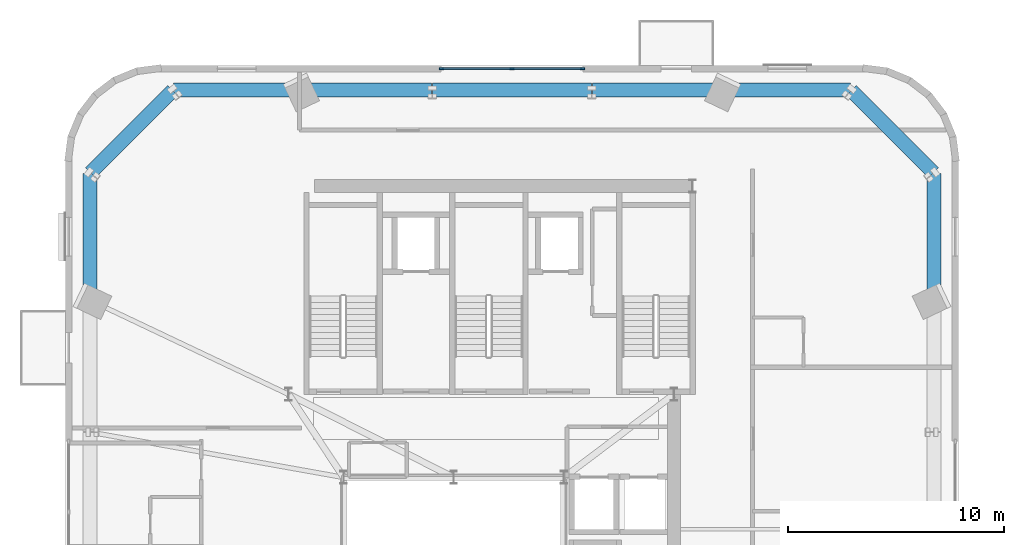
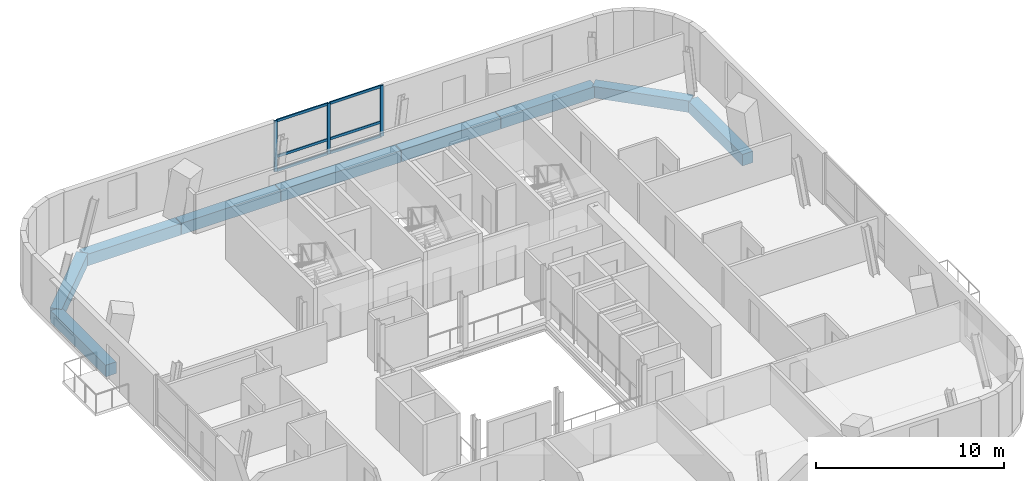
# One storey, part 4 of 13: 9 beams, 9 members, 1 element without a shape of its own.
"""IFC4 building model written with IfcOpenShell, lengths in metres."""

from ifc_helpers import new_model, si_unit, direction, frame, origin, origin_2d, place, context, subcontext, project, spatial, rectangle, extrude, source, transform, mapped, material, material_profile, profile_set, type_object, element, aggregate, save


model = new_model("IFC4")

# Units and contexts
model_context = context("Model", 3, precision=1e-05, world=origin(), true_north=direction((0.0, 1.0)))
body_context = subcontext(model_context, "Body", "Model", "MODEL_VIEW")
ifc_project = project(units=[si_unit("LENGTHUNIT", "METRE"), si_unit("AREAUNIT", "SQUARE_METRE"), si_unit("VOLUMEUNIT", "CUBIC_METRE"), si_unit("PLANEANGLEUNIT", "RADIAN"), si_unit("MASSUNIT", "GRAM", prefix="KILO")], contexts=[model_context])

# Site, building, storey
site_placement = place(None, origin())
site = spatial("IfcSite", under=ifc_project, at=site_placement, CompositionType="ELEMENT")
building_placement = place(site_placement, origin())
building = spatial("IfcBuilding", under=site, at=building_placement, Name="Vardaveli Station Tower", CompositionType="ELEMENT")
storey_placement = place(building_placement, frame((0.0, 0.0, 274.300048828125)))
storey = spatial("IfcBuildingStorey", under=building, at=storey_placement, Name="L70", CompositionType="ELEMENT", Elevation=274.300048828125)

# Beams
ifc_material_1 = material(Name="Precast concrete C45/55", Category="concrete")
ifc_material_profile_1 = material_profile(ifc_material_1, rectangle(XDim=0.64990234375, YDim=0.75, at=origin_2d()), Name="LPB 650x750")
ifc_profile_set_1 = profile_set([ifc_material_profile_1], Name="Precast concrete C45/55")
beam_type = type_object("IfcBeamType", Name="BM-LPB-750", PredefinedType="BEAM", material=ifc_profile_set_1)
shared_shape_1 = source(origin(), body_context, "Body", "SweptSolid", [
    extrude(rectangle(XDim=0.64990234375, YDim=0.75, at=origin_2d()), origin(), (0.0, 0.0, 1.0), 7.35986328125),
])
beam_placement = place(storey_placement, frame((42.679931640625, 44.75, -0.675048828125), z_axis=(-1.0, 0.0, 0.0), x_axis=(0.0, -1.0, 0.0)))
element("IfcBeam", 1, at=beam_placement, inside=storey, type_object=beam_type, Name="RBM-L70-14", PredefinedType="BEAM", context=body_context, shape_type="MappedRepresentation", body=[
    mapped(shared_shape_1, transform((0.0, 0.0, 0.0), scale=1.0)),
])
shared_shape_2 = source(origin(), body_context, "Body", "SweptSolid", [
    extrude(rectangle(XDim=0.64990234375, YDim=0.75, at=origin_2d()), origin(), (0.0, 0.0, 1.0), 6.07177734375),
])
for number, where, z_axis, x_axis, name in (
    (2, (48.791748046875, 44.75, -0.675048828125), (-1.0, 0.0, 0.0), (0.0, -1.0, 0.0), "RBM-L70-13"),
    (3, (35.280029296875, 44.75, -0.675048828125), (-1.0, 0.0, 0.0), (0.0, -1.0, 0.0), "RBM-L70-15"),
):
    element("IfcBeam", number, at=place(storey_placement, frame(where, z_axis=z_axis, x_axis=x_axis)), inside=storey, type_object=beam_type, Name=name, PredefinedType="BEAM", context=body_context, shape_type="MappedRepresentation", body=[
        mapped(shared_shape_2, transform((0.0, 0.0, 0.0), scale=1.0)),
    ])
shared_shape_3 = source(origin(), body_context, "Body", "SweptSolid", [
    extrude(rectangle(XDim=0.64990234375, YDim=0.75, at=origin_2d()), origin(), (0.0, 0.0, 1.0), 5.851318359375),
])
for number, where, z_axis, x_axis, name in (
    (4, (58.550048828125, 35.03173828125, -0.675048828125), (0.0, 1.0, 0.0), (-1.0, 0.0, 0.0), "RBM-L70-10"),
    (5, (54.68310546875, 44.75, -0.675048828125), (-1.0, 0.0, 0.0), (0.0, -1.0, 0.0), "RBM-L70-12"),
    (6, (29.168212890625, 44.75, -0.675048828125), (-1.0, 0.0, 0.0), (0.0, -1.0, 0.0), "RBM-L70-16"),
    (7, (19.449951171875, 40.883056640625, -0.675048828125), (0.0, -1.0, 0.0), (1.0, 0.0, 0.0), "RBM-L70-18"),
):
    element("IfcBeam", number, at=place(storey_placement, frame(where, z_axis=z_axis, x_axis=x_axis)), inside=storey, type_object=beam_type, Name=name, PredefinedType="BEAM", context=body_context, shape_type="MappedRepresentation", body=[
        mapped(shared_shape_3, transform((0.0, 0.0, 0.0), scale=1.0)),
    ])
shared_shape_4 = source(origin(), body_context, "Body", "SweptSolid", [
    extrude(rectangle(XDim=0.64990234375, YDim=0.75, at=origin_2d()), origin(), (0.0, 0.0, 1.0), 5.400390625),
])
for number, where, z_axis, x_axis, name in (
    (8, (58.535888671875, 40.917236328125, -0.675048828125), (-0.707129384373, 0.707084177278, 0.0), (-0.707084177278, -0.707129384373, 0.0), "RBM-L70-11"),
    (9, (23.282958984375, 44.73583984375, -0.675048828125), (-0.707129384373, -0.707084177278, 0.0), (0.707084177278, -0.707129384373, 0.0), "RBM-L70-17"),
):
    element("IfcBeam", number, at=place(storey_placement, frame(where, z_axis=z_axis, x_axis=x_axis)), inside=storey, type_object=beam_type, Name=name, PredefinedType="BEAM", context=body_context, shape_type="MappedRepresentation", body=[
        mapped(shared_shape_4, transform((0.0, 0.0, 0.0), scale=1.0)),
    ])

# Curtain wall, members
ifc_material_2 = material(Name="Travertine stone and solar-control glass", Category="masonry")
curtain_wall_type = type_object("IfcCurtainWallType", Name="CW-SYS-5", PredefinedType="NOTDEFINED", material=ifc_material_2)
curtain_wall_placement = place(storey_placement, origin())
curtain_wall = element("IfcCurtainWall", 10, at=curtain_wall_placement, inside=storey, type_object=curtain_wall_type, Name="CW-L70-N", PredefinedType="NOTDEFINED")
ifc_material_3 = material(Name="Anodised aluminium alloy 6063-T6", Category="aluminium")
ifc_material_profile_2 = material_profile(ifc_material_3, rectangle(XDim=0.080078125, YDim=0.1650390625, at=origin_2d()), Name="CWT 80x165")
ifc_profile_set_2 = profile_set([ifc_material_profile_2], Name="Anodised aluminium alloy 6063-T6")
member_type_1 = type_object("IfcMemberType", Name="CW-SYS-5-TRAN", PredefinedType="NOTDEFINED", material=ifc_profile_set_2)
shared_shape_5 = source(origin(), body_context, "Body", "SweptSolid", [
    extrude(rectangle(XDim=0.080078125, YDim=0.1650390625, at=origin_2d()), origin(), (0.0, 0.0, 1.0), 3.179931640625),
])
member_1_placement = place(storey_placement, frame((42.219970703125, 45.739990234375, 0.0400390625), z_axis=(-1.0, 0.0, 0.0), x_axis=(0.0, -1.0, 0.0)))
member_1 = element("IfcMember", 11, at=member_1_placement, type_object=member_type_1, Name="CW-5 transom 1.1", ObjectType="TRANSOM", PredefinedType="USERDEFINED", context=body_context, shape_type="MappedRepresentation", body=[
    mapped(shared_shape_5, transform((0.0, 0.0, 0.0), scale=1.0)),
])
member_2_placement = place(storey_placement, frame((42.219970703125, 45.739990234375, 0.949951171875), z_axis=(-1.0, 0.0, 0.0), x_axis=(0.0, -1.0, 0.0)))
member_2 = element("IfcMember", 12, at=member_2_placement, type_object=member_type_1, Name="CW-5 transom 1.2", ObjectType="TRANSOM", PredefinedType="USERDEFINED", context=body_context, shape_type="MappedRepresentation", body=[
    mapped(shared_shape_5, transform((0.0, 0.0, 0.0), scale=1.0)),
])
member_3_placement = place(storey_placement, frame((42.219970703125, 45.739990234375, 3.260009765625), z_axis=(-1.0, 0.0, 0.0), x_axis=(0.0, -1.0, 0.0)))
member_3 = element("IfcMember", 13, at=member_3_placement, type_object=member_type_1, Name="CW-5 transom 1.3", ObjectType="TRANSOM", PredefinedType="USERDEFINED", context=body_context, shape_type="MappedRepresentation", body=[
    mapped(shared_shape_5, transform((0.0, 0.0, 0.0), scale=1.0)),
])
member_4_placement = place(storey_placement, frame((38.9599609375, 45.739990234375, 0.0400390625), z_axis=(-1.0, 0.0, 0.0), x_axis=(0.0, -1.0, 0.0)))
member_4 = element("IfcMember", 14, at=member_4_placement, type_object=member_type_1, Name="CW-5 transom 2.1", ObjectType="TRANSOM", PredefinedType="USERDEFINED", context=body_context, shape_type="MappedRepresentation", body=[
    mapped(shared_shape_5, transform((0.0, 0.0, 0.0), scale=1.0)),
])
member_5_placement = place(storey_placement, frame((38.9599609375, 45.739990234375, 0.949951171875), z_axis=(-1.0, 0.0, 0.0), x_axis=(0.0, -1.0, 0.0)))
member_5 = element("IfcMember", 15, at=member_5_placement, type_object=member_type_1, Name="CW-5 transom 2.2", ObjectType="TRANSOM", PredefinedType="USERDEFINED", context=body_context, shape_type="MappedRepresentation", body=[
    mapped(shared_shape_5, transform((0.0, 0.0, 0.0), scale=1.0)),
])
member_6_placement = place(storey_placement, frame((38.9599609375, 45.739990234375, 3.260009765625), z_axis=(-1.0, 0.0, 0.0), x_axis=(0.0, -1.0, 0.0)))
member_6 = element("IfcMember", 16, at=member_6_placement, type_object=member_type_1, Name="CW-5 transom 2.3", ObjectType="TRANSOM", PredefinedType="USERDEFINED", context=body_context, shape_type="MappedRepresentation", body=[
    mapped(shared_shape_5, transform((0.0, 0.0, 0.0), scale=1.0)),
])
ifc_material_profile_3 = material_profile(ifc_material_3, rectangle(XDim=0.080078125, YDim=0.205078125, at=origin_2d()), Name="CWM 80x205")
ifc_profile_set_3 = profile_set([ifc_material_profile_3], Name="Anodised aluminium alloy 6063-T6")
member_type_2 = type_object("IfcMemberType", Name="CW-SYS-5-MULL", PredefinedType="MULLION", material=ifc_profile_set_3)
shared_shape_6 = source(origin(), body_context, "Body", "SweptSolid", [
    extrude(rectangle(XDim=0.080078125, YDim=0.205078125, at=origin_2d()), origin(), (0.0, 0.0, 1.0), 3.300048828125),
])
member_7_placement = place(storey_placement, frame((42.260009765625, 45.739990234375, 0.0), z_axis=(0.0, 0.0, 1.0), x_axis=(0.0, -1.0, 0.0)))
member_7 = element("IfcMember", 17, at=member_7_placement, type_object=member_type_2, Name="CW-5 mullion 1", PredefinedType="MULLION", context=body_context, shape_type="MappedRepresentation", body=[
    mapped(shared_shape_6, transform((0.0, 0.0, 0.0), scale=1.0)),
])
member_8_placement = place(storey_placement, frame((39.0, 45.739990234375, 0.0), z_axis=(0.0, 0.0, 1.0), x_axis=(0.0, -1.0, 0.0)))
member_8 = element("IfcMember", 18, at=member_8_placement, type_object=member_type_2, Name="CW-5 mullion 2", PredefinedType="MULLION", context=body_context, shape_type="MappedRepresentation", body=[
    mapped(shared_shape_6, transform((0.0, 0.0, 0.0), scale=1.0)),
])
member_9_placement = place(storey_placement, frame((35.739990234375, 45.739990234375, 0.0), z_axis=(0.0, 0.0, 1.0), x_axis=(0.0, -1.0, 0.0)))
member_9 = element("IfcMember", 19, at=member_9_placement, type_object=member_type_2, Name="CW-5 mullion 3", PredefinedType="MULLION", context=body_context, shape_type="MappedRepresentation", body=[
    mapped(shared_shape_6, transform((0.0, 0.0, 0.0), scale=1.0)),
])
aggregate(curtain_wall, [member_7, member_8, member_9, member_1, member_2, member_3, member_4, member_5, member_6])

save(model, "model.ifc")
